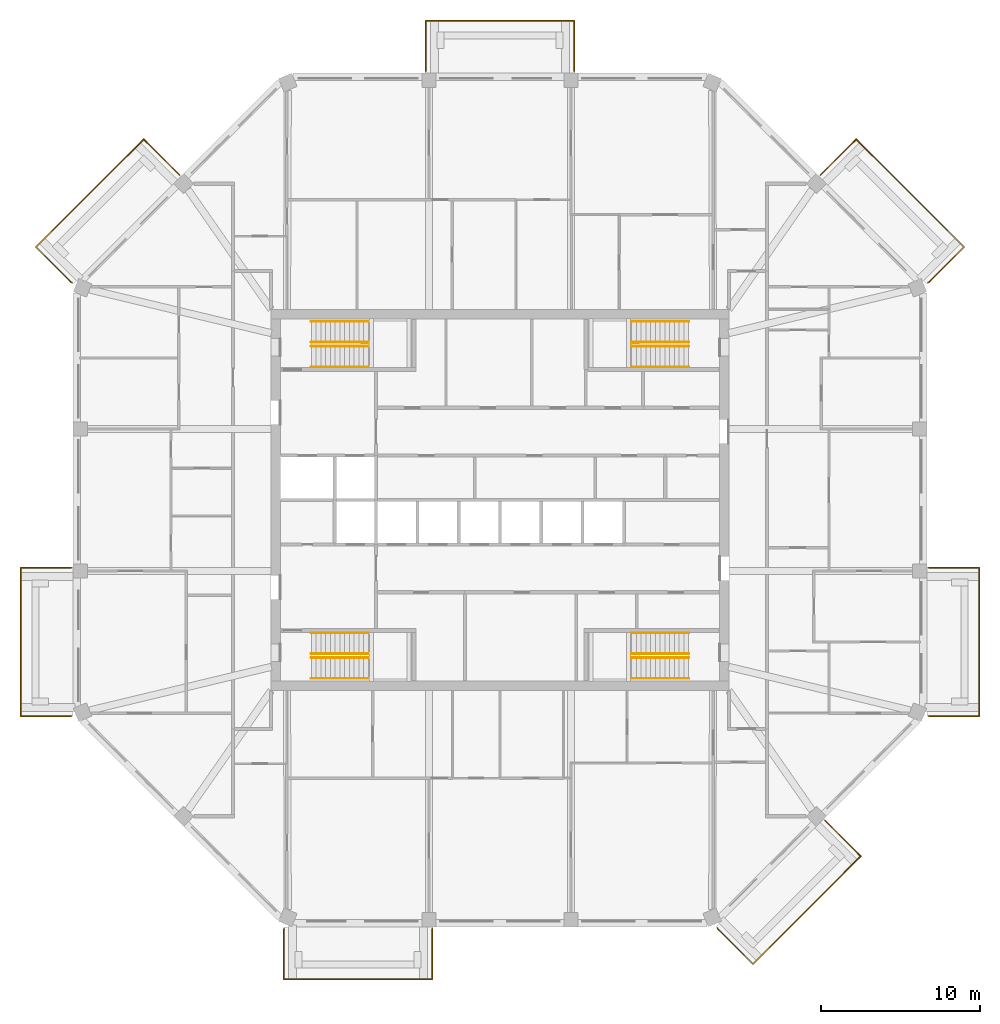
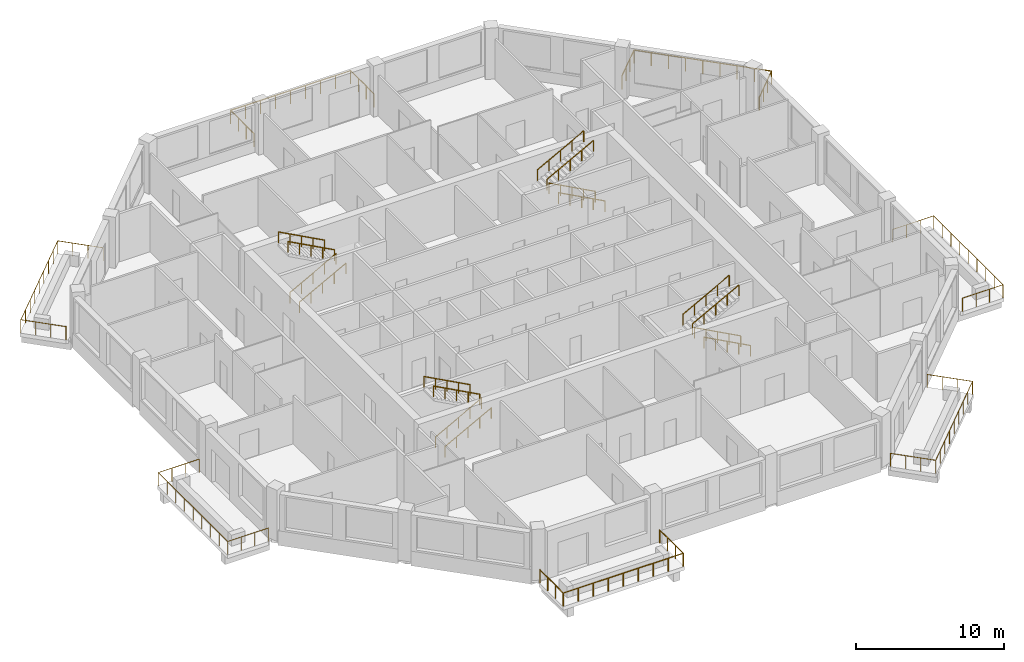
# One storey, part 11 of 11: 23 railings.
"""IFC4 building model written with IfcOpenShell, lengths in metres."""

from ifc_helpers import new_model, si_unit, direction, frame, origin, origin_2d, place, context, subcontext, project, spatial, circle, extrude, material, constituent, constituent_set, type_object, element, save


model = new_model("IFC4")

# Units and contexts
model_context = context("Model", 3, precision=1e-05, world=origin(), true_north=direction((0.0, 1.0)))
body_context = subcontext(model_context, "Body", "Model", "MODEL_VIEW")
ifc_project = project(units=[si_unit("LENGTHUNIT", "METRE"), si_unit("AREAUNIT", "SQUARE_METRE"), si_unit("VOLUMEUNIT", "CUBIC_METRE"), si_unit("PLANEANGLEUNIT", "RADIAN"), si_unit("MASSUNIT", "GRAM", prefix="KILO")], contexts=[model_context])

# Site, building, storey
site_placement = place(None, origin())
site = spatial("IfcSite", under=ifc_project, at=site_placement, CompositionType="ELEMENT")
building_placement = place(site_placement, origin())
building = spatial("IfcBuilding", under=site, at=building_placement, Name="Msitu Wima Residences", CompositionType="ELEMENT")
storey_placement = place(building_placement, frame((0.0, 0.0, 293.699951171875)))
storey = spatial("IfcBuildingStorey", under=building, at=storey_placement, Name="L68", CompositionType="ELEMENT", Elevation=293.699951171875)

# Railings
ifc_material_1 = material(Name="Steel S355", Category="steel")
ifc_constituent_1 = constituent(ifc_material_1, Name="Steel S355")
ifc_material_2 = material(Name="Weathering patina")
ifc_constituent_2 = constituent(ifc_material_2, Name="Weathering patina")
ifc_constituent_set_1 = constituent_set(constituents=[ifc_constituent_1, ifc_constituent_2], Name="Steel S355")
railing_type_1 = type_object("IfcRailingType", Name="Balcony guard GR1100", PredefinedType="GUARDRAIL", material=ifc_constituent_set_1)
railing_1_placement = place(storey_placement, frame((26.97998046875, -4.2685546875, 0.0)))
element("IfcRailing", 1, at=railing_1_placement, inside=storey, type_object=railing_type_1, Name="Balcony guard E0 L68", PredefinedType="GUARDRAIL", context=body_context, shape_type="SweptSolid", body=[
    extrude(circle(Radius=0.02392578125, at=origin_2d()), frame((0.0, 0.0, 1.076171875), z_axis=(1.0, 0.0, 0.0), x_axis=(0.0, 1.0, 0.0)), (0.0, 0.0, 1.0), 3.169921875),
    extrude(circle(Radius=0.02392578125, at=origin_2d()), frame((3.169921875, 0.0, 1.076171875), z_axis=(0.0, -1.0, 0.0), x_axis=(1.0, 0.0, 0.0)), (0.0, 0.0, 1.0), 9.33740234375),
    extrude(circle(Radius=0.02392578125, at=origin_2d()), frame((3.169921875, -9.33740234375, 1.076171875), z_axis=(-1.0, 0.0, 0.0), x_axis=(0.0, -1.0, 0.0)), (0.0, 0.0, 1.0), 3.136474609375),
    extrude(circle(Radius=0.02392578125, at=origin_2d()), frame((0.033447265625, -9.33740234375, 1.076171875), z_axis=(-0.923276184907, 0.384136806859, 0.0), x_axis=(-0.384136806859, -0.923276184907, 0.0)), (0.0, 0.0, 1.0), 0.0361328125),
    extrude(circle(Radius=0.02099609375, at=origin_2d()), origin(), (0.0, 0.0, 1.0), 1.052001953125),
    extrude(circle(Radius=0.02099609375, at=origin_2d()), frame((1.056640625, 0.0, 0.0)), (0.0, 0.0, 1.0), 1.052001953125),
    extrude(circle(Radius=0.02099609375, at=origin_2d()), frame((2.11328125, 0.0, 0.0)), (0.0, 0.0, 1.0), 1.052001953125),
    extrude(circle(Radius=0.02099609375, at=origin_2d()), frame((3.169921875, 0.0, 0.0)), (0.0, 0.0, 1.0), 1.052001953125),
    extrude(circle(Radius=0.02099609375, at=origin_2d()), frame((3.169921875, -1.167236328125, 0.0)), (0.0, 0.0, 1.0), 1.052001953125),
    extrude(circle(Radius=0.02099609375, at=origin_2d()), frame((3.169921875, -2.33447265625, 0.0)), (0.0, 0.0, 1.0), 1.052001953125),
    extrude(circle(Radius=0.02099609375, at=origin_2d()), frame((3.169921875, -3.50146484375, 0.0)), (0.0, 0.0, 1.0), 1.052001953125),
    extrude(circle(Radius=0.02099609375, at=origin_2d()), frame((3.169921875, -4.668701171875, 0.0)), (0.0, 0.0, 1.0), 1.052001953125),
    extrude(circle(Radius=0.02099609375, at=origin_2d()), frame((3.169921875, -5.8359375, 0.0)), (0.0, 0.0, 1.0), 1.052001953125),
    extrude(circle(Radius=0.02099609375, at=origin_2d()), frame((3.169921875, -7.0029296875, 0.0)), (0.0, 0.0, 1.0), 1.052001953125),
    extrude(circle(Radius=0.02099609375, at=origin_2d()), frame((3.169921875, -8.170166015625, 0.0)), (0.0, 0.0, 1.0), 1.052001953125),
    extrude(circle(Radius=0.02099609375, at=origin_2d()), frame((3.169921875, -9.33740234375, 0.0)), (0.0, 0.0, 1.0), 1.052001953125),
    extrude(circle(Radius=0.02099609375, at=origin_2d()), frame((2.12451171875, -9.33740234375, 0.0)), (0.0, 0.0, 1.0), 1.052001953125),
    extrude(circle(Radius=0.02099609375, at=origin_2d()), frame((1.078857421875, -9.33740234375, 0.0)), (0.0, 0.0, 1.0), 1.052001953125),
    extrude(circle(Radius=0.02099609375, at=origin_2d()), frame((0.033447265625, -9.33740234375, 0.0)), (0.0, 0.0, 1.0), 1.052001953125),
    extrude(circle(Radius=0.02099609375, at=origin_2d()), frame((0.0, -9.323486328125, 0.0)), (0.0, 0.0, 1.0), 1.052001953125),
])
railing_2_placement = place(storey_placement, frame((20.171630859375, 20.45458984375, 0.0)))
element("IfcRailing", 2, at=railing_2_placement, inside=storey, type_object=railing_type_1, Name="Balcony guard NE0 L68", PredefinedType="GUARDRAIL", context=body_context, shape_type="SweptSolid", body=[
    extrude(circle(Radius=0.02392578125, at=origin_2d()), frame((0.0, 0.0, 1.076171875), z_axis=(0.707106781187, 0.707106781187, 0.0), x_axis=(-0.707106781187, 0.707106781187, 0.0)), (0.0, 0.0, 1.0), 3.169921875),
    extrude(circle(Radius=0.02392578125, at=origin_2d()), frame((2.241455078125, 2.241455078125, 1.076171875), z_axis=(0.707106781187, -0.707106781187, 0.0), x_axis=(0.707106781187, 0.707106781187, 0.0)), (0.0, 0.0, 1.0), 9.58837890625),
    extrude(circle(Radius=0.02392578125, at=origin_2d()), frame((9.021484375, -4.53857421875, 1.076171875), z_axis=(-0.707106781187, -0.707106781187, 0.0), x_axis=(0.707106781187, -0.707106781187, 0.0)), (0.0, 0.0, 1.0), 3.136474609375),
    extrude(circle(Radius=0.02392578125, at=origin_2d()), frame((6.8037109375, -6.75634765625, 1.076171875), z_axis=(-0.92426142649, -0.38176015442, 0.0), x_axis=(0.38176015442, -0.92426142649, 0.0)), (0.0, 0.0, 1.0), 0.036376953125),
    extrude(circle(Radius=0.02099609375, at=origin_2d()), origin(), (0.0, 0.0, 1.0), 1.052001953125),
    extrude(circle(Radius=0.02099609375, at=origin_2d()), frame((0.7470703125, 0.7470703125, 0.0)), (0.0, 0.0, 1.0), 1.052001953125),
    extrude(circle(Radius=0.02099609375, at=origin_2d()), frame((1.494384765625, 1.494384765625, 0.0)), (0.0, 0.0, 1.0), 1.052001953125),
    extrude(circle(Radius=0.02099609375, at=origin_2d()), frame((2.241455078125, 2.241455078125, 0.0)), (0.0, 0.0, 1.0), 1.052001953125),
    extrude(circle(Radius=0.02099609375, at=origin_2d()), frame((3.0888671875, 1.39404296875, 0.0)), (0.0, 0.0, 1.0), 1.052001953125),
    extrude(circle(Radius=0.02099609375, at=origin_2d()), frame((3.9365234375, 0.54638671875, 0.0)), (0.0, 0.0, 1.0), 1.052001953125),
    extrude(circle(Radius=0.02099609375, at=origin_2d()), frame((4.783935546875, -0.301025390625, 0.0)), (0.0, 0.0, 1.0), 1.052001953125),
    extrude(circle(Radius=0.02099609375, at=origin_2d()), frame((5.63134765625, -1.1484375, 0.0)), (0.0, 0.0, 1.0), 1.052001953125),
    extrude(circle(Radius=0.02099609375, at=origin_2d()), frame((6.47900390625, -1.99609375, 0.0)), (0.0, 0.0, 1.0), 1.052001953125),
    extrude(circle(Radius=0.02099609375, at=origin_2d()), frame((7.326416015625, -2.843505859375, 0.0)), (0.0, 0.0, 1.0), 1.052001953125),
    extrude(circle(Radius=0.02099609375, at=origin_2d()), frame((8.174072265625, -3.691162109375, 0.0)), (0.0, 0.0, 1.0), 1.052001953125),
    extrude(circle(Radius=0.02099609375, at=origin_2d()), frame((9.021484375, -4.53857421875, 0.0)), (0.0, 0.0, 1.0), 1.052001953125),
    extrude(circle(Radius=0.02099609375, at=origin_2d()), frame((8.2822265625, -5.27783203125, 0.0)), (0.0, 0.0, 1.0), 1.052001953125),
    extrude(circle(Radius=0.02099609375, at=origin_2d()), frame((7.54296875, -6.01708984375, 0.0)), (0.0, 0.0, 1.0), 1.052001953125),
    extrude(circle(Radius=0.02099609375, at=origin_2d()), frame((6.8037109375, -6.75634765625, 0.0)), (0.0, 0.0, 1.0), 1.052001953125),
    extrude(circle(Radius=0.02099609375, at=origin_2d()), frame((6.77001953125, -6.770263671875, 0.0)), (0.0, 0.0, 1.0), 1.052001953125),
])
railing_3_placement = place(storey_placement, frame((-4.668701171875, 26.97998046875, 0.0)))
element("IfcRailing", 3, at=railing_3_placement, inside=storey, type_object=railing_type_1, Name="Balcony guard N1 L68", PredefinedType="GUARDRAIL", context=body_context, shape_type="SweptSolid", body=[
    extrude(circle(Radius=0.02392578125, at=origin_2d()), frame((0.0, 0.0, 1.076171875), z_axis=(0.0, 1.0, 0.0), x_axis=(-1.0, 0.0, 0.0)), (0.0, 0.0, 1.0), 3.169921875),
    extrude(circle(Radius=0.02392578125, at=origin_2d()), frame((0.0, 3.169921875, 1.076171875), z_axis=(1.0, 0.0, 0.0), x_axis=(0.0, 1.0, 0.0)), (0.0, 0.0, 1.0), 9.33740234375),
    extrude(circle(Radius=0.02392578125, at=origin_2d()), frame((9.33740234375, 3.169921875, 1.076171875), z_axis=(0.0, -1.0, 0.0), x_axis=(1.0, 0.0, 0.0)), (0.0, 0.0, 1.0), 3.169921875),
    extrude(circle(Radius=0.02099609375, at=origin_2d()), origin(), (0.0, 0.0, 1.0), 1.052001953125),
    extrude(circle(Radius=0.02099609375, at=origin_2d()), frame((0.0, 1.056640625, 0.0)), (0.0, 0.0, 1.0), 1.052001953125),
    extrude(circle(Radius=0.02099609375, at=origin_2d()), frame((0.0, 2.11328125, 0.0)), (0.0, 0.0, 1.0), 1.052001953125),
    extrude(circle(Radius=0.02099609375, at=origin_2d()), frame((0.0, 3.169921875, 0.0)), (0.0, 0.0, 1.0), 1.052001953125),
    extrude(circle(Radius=0.02099609375, at=origin_2d()), frame((1.167236328125, 3.169921875, 0.0)), (0.0, 0.0, 1.0), 1.052001953125),
    extrude(circle(Radius=0.02099609375, at=origin_2d()), frame((2.33447265625, 3.169921875, 0.0)), (0.0, 0.0, 1.0), 1.052001953125),
    extrude(circle(Radius=0.02099609375, at=origin_2d()), frame((3.50146484375, 3.169921875, 0.0)), (0.0, 0.0, 1.0), 1.052001953125),
    extrude(circle(Radius=0.02099609375, at=origin_2d()), frame((4.668701171875, 3.169921875, 0.0)), (0.0, 0.0, 1.0), 1.052001953125),
    extrude(circle(Radius=0.02099609375, at=origin_2d()), frame((5.8359375, 3.169921875, 0.0)), (0.0, 0.0, 1.0), 1.052001953125),
    extrude(circle(Radius=0.02099609375, at=origin_2d()), frame((7.0029296875, 3.169921875, 0.0)), (0.0, 0.0, 1.0), 1.052001953125),
    extrude(circle(Radius=0.02099609375, at=origin_2d()), frame((8.170166015625, 3.169921875, 0.0)), (0.0, 0.0, 1.0), 1.052001953125),
    extrude(circle(Radius=0.02099609375, at=origin_2d()), frame((9.33740234375, 3.169921875, 0.0)), (0.0, 0.0, 1.0), 1.052001953125),
    extrude(circle(Radius=0.02099609375, at=origin_2d()), frame((9.33740234375, 2.11328125, 0.0)), (0.0, 0.0, 1.0), 1.052001953125),
    extrude(circle(Radius=0.02099609375, at=origin_2d()), frame((9.33740234375, 1.056640625, 0.0)), (0.0, 0.0, 1.0), 1.052001953125),
    extrude(circle(Radius=0.02099609375, at=origin_2d()), frame((9.33740234375, 0.0, 0.0)), (0.0, 0.0, 1.0), 1.052001953125),
])
railing_4_placement = place(storey_placement, frame((-26.941650390625, 13.684326171875, 0.0)))
element("IfcRailing", 4, at=railing_4_placement, inside=storey, type_object=railing_type_1, Name="Balcony guard NW1 L68", PredefinedType="GUARDRAIL", context=body_context, shape_type="SweptSolid", body=[
    extrude(circle(Radius=0.02392578125, at=origin_2d()), frame((0.0, 0.0, 1.076171875), z_axis=(-0.92426142649, 0.38176015442, 0.0), x_axis=(-0.38176015442, -0.92426142649, 0.0)), (0.0, 0.0, 1.0), 0.036376953125),
    extrude(circle(Radius=0.02392578125, at=origin_2d()), frame((-0.03369140625, 0.013916015625, 1.076171875), z_axis=(-0.707106781187, 0.707106781187, 0.0), x_axis=(-0.707106781187, -0.707106781187, 0.0)), (0.0, 0.0, 1.0), 3.136474609375),
    extrude(circle(Radius=0.02392578125, at=origin_2d()), frame((-2.25146484375, 2.231689453125, 1.076171875), z_axis=(0.707106781187, 0.707106781187, 0.0), x_axis=(-0.707106781187, 0.707106781187, 0.0)), (0.0, 0.0, 1.0), 9.58837890625),
    extrude(circle(Radius=0.02392578125, at=origin_2d()), frame((4.528564453125, 9.01171875, 1.076171875), z_axis=(0.707106781187, -0.707106781187, 0.0), x_axis=(0.707106781187, 0.707106781187, 0.0)), (0.0, 0.0, 1.0), 3.169921875),
    extrude(circle(Radius=0.02099609375, at=origin_2d()), origin(), (0.0, 0.0, 1.0), 1.052001953125),
    extrude(circle(Radius=0.02099609375, at=origin_2d()), frame((-0.03369140625, 0.013916015625, 0.0)), (0.0, 0.0, 1.0), 1.052001953125),
    extrude(circle(Radius=0.02099609375, at=origin_2d()), frame((-0.77294921875, 0.753173828125, 0.0)), (0.0, 0.0, 1.0), 1.052001953125),
    extrude(circle(Radius=0.02099609375, at=origin_2d()), frame((-1.51220703125, 1.492431640625, 0.0)), (0.0, 0.0, 1.0), 1.052001953125),
    extrude(circle(Radius=0.02099609375, at=origin_2d()), frame((-2.25146484375, 2.231689453125, 0.0)), (0.0, 0.0, 1.0), 1.052001953125),
    extrude(circle(Radius=0.02099609375, at=origin_2d()), frame((-1.404052734375, 3.0791015625, 0.0)), (0.0, 0.0, 1.0), 1.052001953125),
    extrude(circle(Radius=0.02099609375, at=origin_2d()), frame((-0.556396484375, 3.9267578125, 0.0)), (0.0, 0.0, 1.0), 1.052001953125),
    extrude(circle(Radius=0.02099609375, at=origin_2d()), frame((0.291015625, 4.774169921875, 0.0)), (0.0, 0.0, 1.0), 1.052001953125),
    extrude(circle(Radius=0.02099609375, at=origin_2d()), frame((1.138671875, 5.62158203125, 0.0)), (0.0, 0.0, 1.0), 1.052001953125),
    extrude(circle(Radius=0.02099609375, at=origin_2d()), frame((1.986083984375, 6.46923828125, 0.0)), (0.0, 0.0, 1.0), 1.052001953125),
    extrude(circle(Radius=0.02099609375, at=origin_2d()), frame((2.83349609375, 7.316650390625, 0.0)), (0.0, 0.0, 1.0), 1.052001953125),
    extrude(circle(Radius=0.02099609375, at=origin_2d()), frame((3.68115234375, 8.164306640625, 0.0)), (0.0, 0.0, 1.0), 1.052001953125),
    extrude(circle(Radius=0.02099609375, at=origin_2d()), frame((4.528564453125, 9.01171875, 0.0)), (0.0, 0.0, 1.0), 1.052001953125),
    extrude(circle(Radius=0.02099609375, at=origin_2d()), frame((5.275634765625, 8.2646484375, 0.0)), (0.0, 0.0, 1.0), 1.052001953125),
    extrude(circle(Radius=0.02099609375, at=origin_2d()), frame((6.02294921875, 7.517333984375, 0.0)), (0.0, 0.0, 1.0), 1.052001953125),
    extrude(circle(Radius=0.02099609375, at=origin_2d()), frame((6.77001953125, 6.770263671875, 0.0)), (0.0, 0.0, 1.0), 1.052001953125),
])
railing_5_placement = place(storey_placement, frame((-26.97998046875, -13.592041015625, 0.0)))
element("IfcRailing", 5, at=railing_5_placement, inside=storey, type_object=railing_type_1, Name="Balcony guard W2 L68", PredefinedType="GUARDRAIL", context=body_context, shape_type="SweptSolid", body=[
    extrude(circle(Radius=0.02392578125, at=origin_2d()), frame((0.0, 0.0, 1.076171875), z_axis=(-0.923276184907, -0.384136806859, 0.0), x_axis=(0.384136806859, -0.923276184907, 0.0)), (0.0, 0.0, 1.0), 0.0361328125),
    extrude(circle(Radius=0.02392578125, at=origin_2d()), frame((-0.033447265625, -0.013916015625, 1.076171875), z_axis=(-1.0, 0.0, 0.0), x_axis=(0.0, -1.0, 0.0)), (0.0, 0.0, 1.0), 3.136474609375),
    extrude(circle(Radius=0.02392578125, at=origin_2d()), frame((-3.169921875, -0.013916015625, 1.076171875), z_axis=(0.0, 1.0, 0.0), x_axis=(-1.0, 0.0, 0.0)), (0.0, 0.0, 1.0), 9.33740234375),
    extrude(circle(Radius=0.02392578125, at=origin_2d()), frame((-3.169921875, 9.323486328125, 1.076171875), z_axis=(1.0, 0.0, 0.0), x_axis=(0.0, 1.0, 0.0)), (0.0, 0.0, 1.0), 3.169921875),
    extrude(circle(Radius=0.02099609375, at=origin_2d()), origin(), (0.0, 0.0, 1.0), 1.052001953125),
    extrude(circle(Radius=0.02099609375, at=origin_2d()), frame((-0.033447265625, -0.013916015625, 0.0)), (0.0, 0.0, 1.0), 1.052001953125),
    extrude(circle(Radius=0.02099609375, at=origin_2d()), frame((-1.078857421875, -0.013916015625, 0.0)), (0.0, 0.0, 1.0), 1.052001953125),
    extrude(circle(Radius=0.02099609375, at=origin_2d()), frame((-2.12451171875, -0.013916015625, 0.0)), (0.0, 0.0, 1.0), 1.052001953125),
    extrude(circle(Radius=0.02099609375, at=origin_2d()), frame((-3.169921875, -0.013916015625, 0.0)), (0.0, 0.0, 1.0), 1.052001953125),
    extrude(circle(Radius=0.02099609375, at=origin_2d()), frame((-3.169921875, 1.1533203125, 0.0)), (0.0, 0.0, 1.0), 1.052001953125),
    extrude(circle(Radius=0.02099609375, at=origin_2d()), frame((-3.169921875, 2.3203125, 0.0)), (0.0, 0.0, 1.0), 1.052001953125),
    extrude(circle(Radius=0.02099609375, at=origin_2d()), frame((-3.169921875, 3.487548828125, 0.0)), (0.0, 0.0, 1.0), 1.052001953125),
    extrude(circle(Radius=0.02099609375, at=origin_2d()), frame((-3.169921875, 4.65478515625, 0.0)), (0.0, 0.0, 1.0), 1.052001953125),
    extrude(circle(Radius=0.02099609375, at=origin_2d()), frame((-3.169921875, 5.822021484375, 0.0)), (0.0, 0.0, 1.0), 1.052001953125),
    extrude(circle(Radius=0.02099609375, at=origin_2d()), frame((-3.169921875, 6.9892578125, 0.0)), (0.0, 0.0, 1.0), 1.052001953125),
    extrude(circle(Radius=0.02099609375, at=origin_2d()), frame((-3.169921875, 8.15625, 0.0)), (0.0, 0.0, 1.0), 1.052001953125),
    extrude(circle(Radius=0.02099609375, at=origin_2d()), frame((-3.169921875, 9.323486328125, 0.0)), (0.0, 0.0, 1.0), 1.052001953125),
    extrude(circle(Radius=0.02099609375, at=origin_2d()), frame((-2.11328125, 9.323486328125, 0.0)), (0.0, 0.0, 1.0), 1.052001953125),
    extrude(circle(Radius=0.02099609375, at=origin_2d()), frame((-1.056640625, 9.323486328125, 0.0)), (0.0, 0.0, 1.0), 1.052001953125),
    extrude(circle(Radius=0.02099609375, at=origin_2d()), frame((0.0, 9.323486328125, 0.0)), (0.0, 0.0, 1.0), 1.052001953125),
])
railing_6_placement = place(storey_placement, frame((-4.2685546875, -26.97998046875, 0.0)))
element("IfcRailing", 6, at=railing_6_placement, inside=storey, type_object=railing_type_1, Name="Balcony guard S0 L68", PredefinedType="GUARDRAIL", context=body_context, shape_type="SweptSolid", body=[
    extrude(circle(Radius=0.02392578125, at=origin_2d()), frame((0.0, 0.0, 1.076171875), z_axis=(0.0, -1.0, 0.0), x_axis=(1.0, 0.0, 0.0)), (0.0, 0.0, 1.0), 3.169921875),
    extrude(circle(Radius=0.02392578125, at=origin_2d()), frame((0.0, -3.169921875, 1.076171875), z_axis=(-1.0, 0.0, 0.0), x_axis=(0.0, -1.0, 0.0)), (0.0, 0.0, 1.0), 9.33740234375),
    extrude(circle(Radius=0.02392578125, at=origin_2d()), frame((-9.33740234375, -3.169921875, 1.076171875), z_axis=(0.0, 1.0, 0.0), x_axis=(-1.0, 0.0, 0.0)), (0.0, 0.0, 1.0), 3.136474609375),
    extrude(circle(Radius=0.02392578125, at=origin_2d()), frame((-9.33740234375, -0.033447265625, 1.076171875), z_axis=(0.384136806859, 0.923276184907, 0.0), x_axis=(-0.923276184907, 0.384136806859, 0.0)), (0.0, 0.0, 1.0), 0.0361328125),
    extrude(circle(Radius=0.02099609375, at=origin_2d()), origin(), (0.0, 0.0, 1.0), 1.052001953125),
    extrude(circle(Radius=0.02099609375, at=origin_2d()), frame((0.0, -1.056640625, 0.0)), (0.0, 0.0, 1.0), 1.052001953125),
    extrude(circle(Radius=0.02099609375, at=origin_2d()), frame((0.0, -2.11328125, 0.0)), (0.0, 0.0, 1.0), 1.052001953125),
    extrude(circle(Radius=0.02099609375, at=origin_2d()), frame((0.0, -3.169921875, 0.0)), (0.0, 0.0, 1.0), 1.052001953125),
    extrude(circle(Radius=0.02099609375, at=origin_2d()), frame((-1.167236328125, -3.169921875, 0.0)), (0.0, 0.0, 1.0), 1.052001953125),
    extrude(circle(Radius=0.02099609375, at=origin_2d()), frame((-2.33447265625, -3.169921875, 0.0)), (0.0, 0.0, 1.0), 1.052001953125),
    extrude(circle(Radius=0.02099609375, at=origin_2d()), frame((-3.50146484375, -3.169921875, 0.0)), (0.0, 0.0, 1.0), 1.052001953125),
    extrude(circle(Radius=0.02099609375, at=origin_2d()), frame((-4.668701171875, -3.169921875, 0.0)), (0.0, 0.0, 1.0), 1.052001953125),
    extrude(circle(Radius=0.02099609375, at=origin_2d()), frame((-5.8359375, -3.169921875, 0.0)), (0.0, 0.0, 1.0), 1.052001953125),
    extrude(circle(Radius=0.02099609375, at=origin_2d()), frame((-7.0029296875, -3.169921875, 0.0)), (0.0, 0.0, 1.0), 1.052001953125),
    extrude(circle(Radius=0.02099609375, at=origin_2d()), frame((-8.170166015625, -3.169921875, 0.0)), (0.0, 0.0, 1.0), 1.052001953125),
    extrude(circle(Radius=0.02099609375, at=origin_2d()), frame((-9.33740234375, -3.169921875, 0.0)), (0.0, 0.0, 1.0), 1.052001953125),
    extrude(circle(Radius=0.02099609375, at=origin_2d()), frame((-9.33740234375, -2.12451171875, 0.0)), (0.0, 0.0, 1.0), 1.052001953125),
    extrude(circle(Radius=0.02099609375, at=origin_2d()), frame((-9.33740234375, -1.078857421875, 0.0)), (0.0, 0.0, 1.0), 1.052001953125),
    extrude(circle(Radius=0.02099609375, at=origin_2d()), frame((-9.33740234375, -0.033447265625, 0.0)), (0.0, 0.0, 1.0), 1.052001953125),
    extrude(circle(Radius=0.02099609375, at=origin_2d()), frame((-9.323486328125, 0.0, 0.0)), (0.0, 0.0, 1.0), 1.052001953125),
])
railing_7_placement = place(storey_placement, frame((20.45458984375, -20.171630859375, 0.0)))
element("IfcRailing", 7, at=railing_7_placement, inside=storey, type_object=railing_type_1, Name="Balcony guard SE0 L68", PredefinedType="GUARDRAIL", context=body_context, shape_type="SweptSolid", body=[
    extrude(circle(Radius=0.02392578125, at=origin_2d()), frame((0.0, 0.0, 1.076171875), z_axis=(0.707106781187, -0.707106781187, 0.0), x_axis=(0.707106781187, 0.707106781187, 0.0)), (0.0, 0.0, 1.0), 3.169921875),
    extrude(circle(Radius=0.02392578125, at=origin_2d()), frame((2.241455078125, -2.241455078125, 1.076171875), z_axis=(-0.707106781187, -0.707106781187, 0.0), x_axis=(0.707106781187, -0.707106781187, 0.0)), (0.0, 0.0, 1.0), 9.58837890625),
    extrude(circle(Radius=0.02392578125, at=origin_2d()), frame((-4.53857421875, -9.021484375, 1.076171875), z_axis=(-0.707106781187, 0.707106781187, 0.0), x_axis=(-0.707106781187, -0.707106781187, 0.0)), (0.0, 0.0, 1.0), 3.136474609375),
    extrude(circle(Radius=0.02392578125, at=origin_2d()), frame((-6.75634765625, -6.8037109375, 1.076171875), z_axis=(-0.38176015442, 0.92426142649, 0.0), x_axis=(-0.92426142649, -0.38176015442, 0.0)), (0.0, 0.0, 1.0), 0.036376953125),
    extrude(circle(Radius=0.02099609375, at=origin_2d()), origin(), (0.0, 0.0, 1.0), 1.052001953125),
    extrude(circle(Radius=0.02099609375, at=origin_2d()), frame((0.7470703125, -0.7470703125, 0.0)), (0.0, 0.0, 1.0), 1.052001953125),
    extrude(circle(Radius=0.02099609375, at=origin_2d()), frame((1.494384765625, -1.494384765625, 0.0)), (0.0, 0.0, 1.0), 1.052001953125),
    extrude(circle(Radius=0.02099609375, at=origin_2d()), frame((2.241455078125, -2.241455078125, 0.0)), (0.0, 0.0, 1.0), 1.052001953125),
    extrude(circle(Radius=0.02099609375, at=origin_2d()), frame((1.39404296875, -3.0888671875, 0.0)), (0.0, 0.0, 1.0), 1.052001953125),
    extrude(circle(Radius=0.02099609375, at=origin_2d()), frame((0.54638671875, -3.9365234375, 0.0)), (0.0, 0.0, 1.0), 1.052001953125),
    extrude(circle(Radius=0.02099609375, at=origin_2d()), frame((-0.301025390625, -4.783935546875, 0.0)), (0.0, 0.0, 1.0), 1.052001953125),
    extrude(circle(Radius=0.02099609375, at=origin_2d()), frame((-1.1484375, -5.63134765625, 0.0)), (0.0, 0.0, 1.0), 1.052001953125),
    extrude(circle(Radius=0.02099609375, at=origin_2d()), frame((-1.99609375, -6.47900390625, 0.0)), (0.0, 0.0, 1.0), 1.052001953125),
    extrude(circle(Radius=0.02099609375, at=origin_2d()), frame((-2.843505859375, -7.326416015625, 0.0)), (0.0, 0.0, 1.0), 1.052001953125),
    extrude(circle(Radius=0.02099609375, at=origin_2d()), frame((-3.691162109375, -8.174072265625, 0.0)), (0.0, 0.0, 1.0), 1.052001953125),
    extrude(circle(Radius=0.02099609375, at=origin_2d()), frame((-4.53857421875, -9.021484375, 0.0)), (0.0, 0.0, 1.0), 1.052001953125),
    extrude(circle(Radius=0.02099609375, at=origin_2d()), frame((-5.27783203125, -8.2822265625, 0.0)), (0.0, 0.0, 1.0), 1.052001953125),
    extrude(circle(Radius=0.02099609375, at=origin_2d()), frame((-6.01708984375, -7.54296875, 0.0)), (0.0, 0.0, 1.0), 1.052001953125),
    extrude(circle(Radius=0.02099609375, at=origin_2d()), frame((-6.75634765625, -6.8037109375, 0.0)), (0.0, 0.0, 1.0), 1.052001953125),
    extrude(circle(Radius=0.02099609375, at=origin_2d()), frame((-6.770263671875, -6.77001953125, 0.0)), (0.0, 0.0, 1.0), 1.052001953125),
])
ifc_constituent_3 = constituent(ifc_material_1, Name="Steel S355")
ifc_material_3 = material(Name="Black powder coating")
ifc_constituent_4 = constituent(ifc_material_3, Name="Black powder coating")
ifc_constituent_set_2 = constituent_set(constituents=[ifc_constituent_3, ifc_constituent_4], Name="Steel S355")
railing_type_2 = type_object("IfcRailingType", Name="Stair handrail HR1", PredefinedType="HANDRAIL", material=ifc_constituent_set_2)
for number, where, name in (
    (8, (-11.875, 8.375, 0.16162109375), "Stair 1 handrail"),
    (9, (-11.875, 9.675048828125, 0.16162109375), "Stair 1 handrail"),
):
    element("IfcRailing", number, at=place(storey_placement, frame(where)), inside=storey, type_object=railing_type_2, Name=name, PredefinedType="HANDRAIL", context=body_context, shape_type="SweptSolid", body=[
        extrude(circle(Radius=0.02392578125, at=origin_2d()), frame((0.0, 0.0, 0.8759765625), z_axis=(0.880474934443, 0.0, 0.474092701714), x_axis=(0.0, 1.0, 0.0)), (0.0, 0.0, 1.0), 4.0888671875),
        extrude(circle(Radius=0.02099609375, at=origin_2d()), origin(), (0.0, 0.0, 1.0), 0.851806640625),
        extrude(circle(Radius=0.02099609375, at=origin_2d()), frame((0.89990234375, 0.0, 0.484619140625)), (0.0, 0.0, 1.0), 0.851806640625),
        extrude(circle(Radius=0.02099609375, at=origin_2d()), frame((1.800048828125, 0.0, 0.96923828125)), (0.0, 0.0, 1.0), 0.851806640625),
        extrude(circle(Radius=0.02099609375, at=origin_2d()), frame((2.7001953125, 0.0, 1.453857421875)), (0.0, 0.0, 1.0), 0.851806640625),
        extrude(circle(Radius=0.02099609375, at=origin_2d()), frame((3.60009765625, 0.0, 1.9384765625)), (0.0, 0.0, 1.0), 0.851806640625),
    ])
for number, where, name in (
    (10, (-8.27490234375, 9.925048828125, 2.261474609375), "Stair 1 handrail"),
    (11, (-8.27490234375, 11.22509765625, 2.261474609375), "Stair 1 handrail"),
):
    element("IfcRailing", number, at=place(storey_placement, frame(where)), inside=storey, type_object=railing_type_2, Name=name, PredefinedType="HANDRAIL", context=body_context, shape_type="SweptSolid", body=[
        extrude(circle(Radius=0.02392578125, at=origin_2d()), frame((0.0, 0.0, 0.8759765625), z_axis=(-0.880474934443, 0.0, 0.474092701714), x_axis=(0.0, -1.0, 0.0)), (0.0, 0.0, 1.0), 4.0888671875),
        extrude(circle(Radius=0.02099609375, at=origin_2d()), origin(), (0.0, 0.0, 1.0), 0.851806640625),
        extrude(circle(Radius=0.02099609375, at=origin_2d()), frame((-0.89990234375, 0.0, 0.484619140625)), (0.0, 0.0, 1.0), 0.851806640625),
        extrude(circle(Radius=0.02099609375, at=origin_2d()), frame((-1.800048828125, 0.0, 0.96923828125)), (0.0, 0.0, 1.0), 0.851806640625),
        extrude(circle(Radius=0.02099609375, at=origin_2d()), frame((-2.7001953125, 0.0, 1.453857421875)), (0.0, 0.0, 1.0), 0.851806640625),
        extrude(circle(Radius=0.02099609375, at=origin_2d()), frame((-3.60009765625, 0.0, 1.9384765625)), (0.0, 0.0, 1.0), 0.851806640625),
    ])
for number, where, name in (
    (12, (-11.875, -11.22509765625, 0.16162109375), "Stair 2 handrail"),
    (13, (-11.875, -9.925048828125, 0.16162109375), "Stair 2 handrail"),
):
    element("IfcRailing", number, at=place(storey_placement, frame(where)), inside=storey, type_object=railing_type_2, Name=name, PredefinedType="HANDRAIL", context=body_context, shape_type="SweptSolid", body=[
        extrude(circle(Radius=0.02392578125, at=origin_2d()), frame((0.0, 0.0, 0.8759765625), z_axis=(0.880474934443, 0.0, 0.474092701714), x_axis=(0.0, 1.0, 0.0)), (0.0, 0.0, 1.0), 4.0888671875),
        extrude(circle(Radius=0.02099609375, at=origin_2d()), origin(), (0.0, 0.0, 1.0), 0.851806640625),
        extrude(circle(Radius=0.02099609375, at=origin_2d()), frame((0.89990234375, 0.0, 0.484619140625)), (0.0, 0.0, 1.0), 0.851806640625),
        extrude(circle(Radius=0.02099609375, at=origin_2d()), frame((1.800048828125, 0.0, 0.96923828125)), (0.0, 0.0, 1.0), 0.851806640625),
        extrude(circle(Radius=0.02099609375, at=origin_2d()), frame((2.7001953125, 0.0, 1.453857421875)), (0.0, 0.0, 1.0), 0.851806640625),
        extrude(circle(Radius=0.02099609375, at=origin_2d()), frame((3.60009765625, 0.0, 1.9384765625)), (0.0, 0.0, 1.0), 0.851806640625),
    ])
for number, where, name in (
    (14, (-8.27490234375, -9.675048828125, 2.261474609375), "Stair 2 handrail"),
    (15, (-8.27490234375, -8.375, 2.261474609375), "Stair 2 handrail"),
    (16, (11.875, 8.375, 0.16162109375), "Stair 3 handrail"),
    (17, (11.875, 9.675048828125, 0.16162109375), "Stair 3 handrail"),
):
    element("IfcRailing", number, at=place(storey_placement, frame(where)), inside=storey, type_object=railing_type_2, Name=name, PredefinedType="HANDRAIL", context=body_context, shape_type="SweptSolid", body=[
        extrude(circle(Radius=0.02392578125, at=origin_2d()), frame((0.0, 0.0, 0.8759765625), z_axis=(-0.880474934443, 0.0, 0.474092701714), x_axis=(0.0, -1.0, 0.0)), (0.0, 0.0, 1.0), 4.0888671875),
        extrude(circle(Radius=0.02099609375, at=origin_2d()), origin(), (0.0, 0.0, 1.0), 0.851806640625),
        extrude(circle(Radius=0.02099609375, at=origin_2d()), frame((-0.89990234375, 0.0, 0.484619140625)), (0.0, 0.0, 1.0), 0.851806640625),
        extrude(circle(Radius=0.02099609375, at=origin_2d()), frame((-1.800048828125, 0.0, 0.96923828125)), (0.0, 0.0, 1.0), 0.851806640625),
        extrude(circle(Radius=0.02099609375, at=origin_2d()), frame((-2.7001953125, 0.0, 1.453857421875)), (0.0, 0.0, 1.0), 0.851806640625),
        extrude(circle(Radius=0.02099609375, at=origin_2d()), frame((-3.60009765625, 0.0, 1.9384765625)), (0.0, 0.0, 1.0), 0.851806640625),
    ])
for number, where, name in (
    (18, (8.27490234375, 9.925048828125, 2.261474609375), "Stair 3 handrail"),
    (19, (8.27490234375, 11.22509765625, 2.261474609375), "Stair 3 handrail"),
):
    element("IfcRailing", number, at=place(storey_placement, frame(where)), inside=storey, type_object=railing_type_2, Name=name, PredefinedType="HANDRAIL", context=body_context, shape_type="SweptSolid", body=[
        extrude(circle(Radius=0.02392578125, at=origin_2d()), frame((0.0, 0.0, 0.8759765625), z_axis=(0.880474934443, 0.0, 0.474092701714), x_axis=(0.0, 1.0, 0.0)), (0.0, 0.0, 1.0), 4.0888671875),
        extrude(circle(Radius=0.02099609375, at=origin_2d()), origin(), (0.0, 0.0, 1.0), 0.851806640625),
        extrude(circle(Radius=0.02099609375, at=origin_2d()), frame((0.89990234375, 0.0, 0.484619140625)), (0.0, 0.0, 1.0), 0.851806640625),
        extrude(circle(Radius=0.02099609375, at=origin_2d()), frame((1.800048828125, 0.0, 0.96923828125)), (0.0, 0.0, 1.0), 0.851806640625),
        extrude(circle(Radius=0.02099609375, at=origin_2d()), frame((2.7001953125, 0.0, 1.453857421875)), (0.0, 0.0, 1.0), 0.851806640625),
        extrude(circle(Radius=0.02099609375, at=origin_2d()), frame((3.60009765625, 0.0, 1.9384765625)), (0.0, 0.0, 1.0), 0.851806640625),
    ])
for number, where, name in (
    (20, (11.875, -11.22509765625, 0.16162109375), "Stair 4 handrail"),
    (21, (11.875, -9.925048828125, 0.16162109375), "Stair 4 handrail"),
):
    element("IfcRailing", number, at=place(storey_placement, frame(where)), inside=storey, type_object=railing_type_2, Name=name, PredefinedType="HANDRAIL", context=body_context, shape_type="SweptSolid", body=[
        extrude(circle(Radius=0.02392578125, at=origin_2d()), frame((0.0, 0.0, 0.8759765625), z_axis=(-0.880474934443, 0.0, 0.474092701714), x_axis=(0.0, -1.0, 0.0)), (0.0, 0.0, 1.0), 4.0888671875),
        extrude(circle(Radius=0.02099609375, at=origin_2d()), origin(), (0.0, 0.0, 1.0), 0.851806640625),
        extrude(circle(Radius=0.02099609375, at=origin_2d()), frame((-0.89990234375, 0.0, 0.484619140625)), (0.0, 0.0, 1.0), 0.851806640625),
        extrude(circle(Radius=0.02099609375, at=origin_2d()), frame((-1.800048828125, 0.0, 0.96923828125)), (0.0, 0.0, 1.0), 0.851806640625),
        extrude(circle(Radius=0.02099609375, at=origin_2d()), frame((-2.7001953125, 0.0, 1.453857421875)), (0.0, 0.0, 1.0), 0.851806640625),
        extrude(circle(Radius=0.02099609375, at=origin_2d()), frame((-3.60009765625, 0.0, 1.9384765625)), (0.0, 0.0, 1.0), 0.851806640625),
    ])
for number, where, name in (
    (22, (8.27490234375, -9.675048828125, 2.261474609375), "Stair 4 handrail"),
    (23, (8.27490234375, -8.375, 2.261474609375), "Stair 4 handrail"),
):
    element("IfcRailing", number, at=place(storey_placement, frame(where)), inside=storey, type_object=railing_type_2, Name=name, PredefinedType="HANDRAIL", context=body_context, shape_type="SweptSolid", body=[
        extrude(circle(Radius=0.02392578125, at=origin_2d()), frame((0.0, 0.0, 0.8759765625), z_axis=(0.880474934443, 0.0, 0.474092701714), x_axis=(0.0, 1.0, 0.0)), (0.0, 0.0, 1.0), 4.0888671875),
        extrude(circle(Radius=0.02099609375, at=origin_2d()), origin(), (0.0, 0.0, 1.0), 0.851806640625),
        extrude(circle(Radius=0.02099609375, at=origin_2d()), frame((0.89990234375, 0.0, 0.484619140625)), (0.0, 0.0, 1.0), 0.851806640625),
        extrude(circle(Radius=0.02099609375, at=origin_2d()), frame((1.800048828125, 0.0, 0.96923828125)), (0.0, 0.0, 1.0), 0.851806640625),
        extrude(circle(Radius=0.02099609375, at=origin_2d()), frame((2.7001953125, 0.0, 1.453857421875)), (0.0, 0.0, 1.0), 0.851806640625),
        extrude(circle(Radius=0.02099609375, at=origin_2d()), frame((3.60009765625, 0.0, 1.9384765625)), (0.0, 0.0, 1.0), 0.851806640625),
    ])

save(model, "model.ifc")
